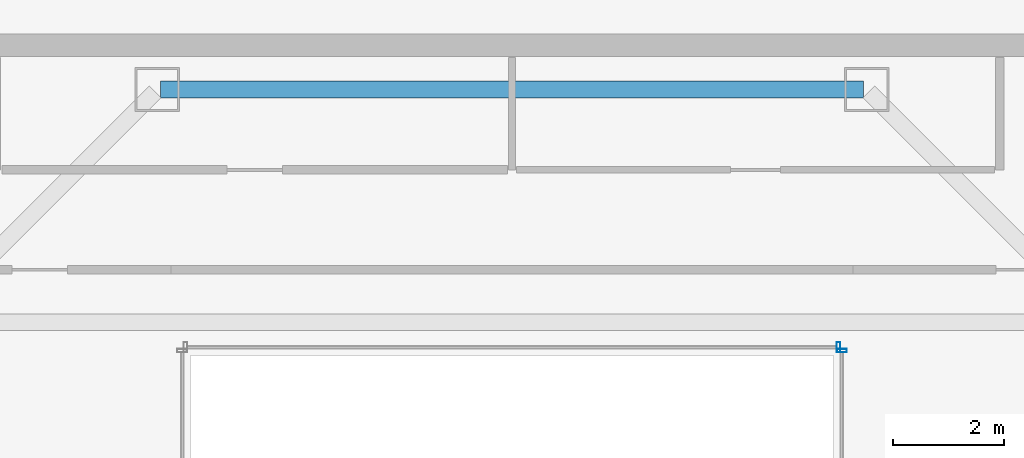
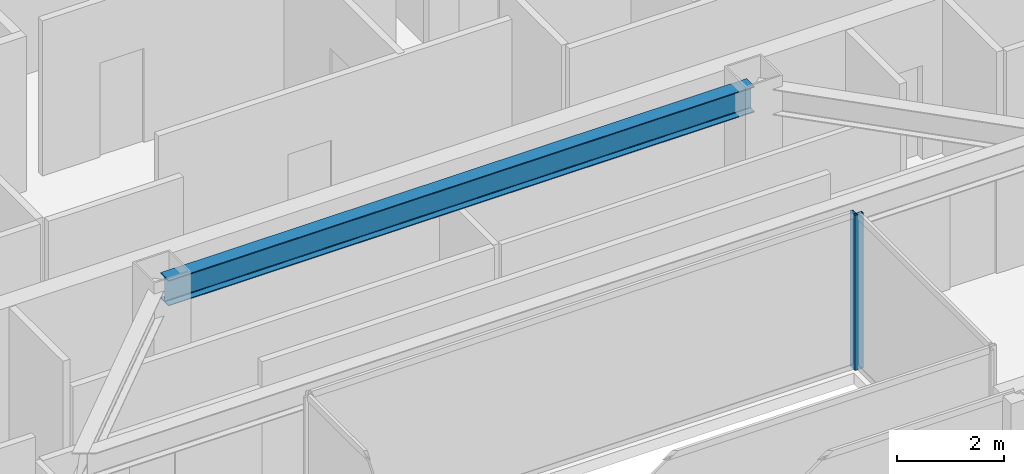
# One storey, part 11 of 33: 2 members, 1 beam, 2 elements without a shape of their own.
"""IFC4 building model written with IfcOpenShell, lengths in metres."""

from ifc_helpers import new_model, si_unit, direction, frame, origin, origin_2d, place, context, subcontext, project, spatial, hollow_rectangle, i_section, extrude, material, material_profile, profile_set, type_object, element, aggregate, save


model = new_model("IFC4")

# Units and contexts
model_context = context("Model", 3, precision=1e-05, world=origin(), true_north=direction((0.0, 1.0)))
body_context = subcontext(model_context, "Body", "Model", "MODEL_VIEW")
ifc_project = project(units=[si_unit("LENGTHUNIT", "METRE"), si_unit("AREAUNIT", "SQUARE_METRE"), si_unit("VOLUMEUNIT", "CUBIC_METRE"), si_unit("PLANEANGLEUNIT", "RADIAN"), si_unit("MASSUNIT", "GRAM", prefix="KILO")], contexts=[model_context])

# Site, building, storey
site_placement = place(None, origin())
site = spatial("IfcSite", under=ifc_project, at=site_placement, CompositionType="ELEMENT")
building_placement = place(site_placement, origin())
building = spatial("IfcBuilding", under=site, at=building_placement, Name="Saevonmaru Cultural Tower", CompositionType="ELEMENT")
storey_placement = place(building_placement, frame((0.0, 0.0, 238.199951171875)))
storey = spatial("IfcBuildingStorey", under=building, at=storey_placement, Name="L55", CompositionType="ELEMENT", Elevation=238.199951171875)

# Beam
ifc_material_1 = material(Name="Steel SM355", Category="steel")
ifc_material_profile_1 = material_profile(ifc_material_1, i_section(OverallWidth=0.300048828125, OverallDepth=0.587890625, WebThickness=0.011962890625, FlangeThickness=0.02001953125, FilletRadius=0.02392578125, at=origin_2d()), Name="H-588x300x12x20")
ifc_profile_set_1 = profile_set([ifc_material_profile_1], Name="Steel SM355")
beam_type = type_object("IfcBeamType", Name="BM-G-H588", PredefinedType="BEAM", material=ifc_profile_set_1)
beam_placement = place(storey_placement, frame((23.659912109375, 42.39990234375, 3.256103515625), z_axis=(1.0, 0.0, 0.0), x_axis=(0.0, 1.0, 0.0)))
element("IfcBeam", 1, at=beam_placement, inside=storey, type_object=beam_type, Name="L55 Core South Girder 3", PredefinedType="BEAM", context=body_context, shape_type="SweptSolid", body=[
    extrude(i_section(OverallWidth=0.300048828125, OverallDepth=0.587890625, WebThickness=0.011962890625, FlangeThickness=0.02001953125, FilletRadius=0.02392578125, at=origin_2d()), origin(), (0.0, 0.0, 1.0), 12.68017578125),
])

# Curtain wall, member
ifc_material_2 = material(Name="Satin Bronze Anodised Aluminium", Category="aluminium")
curtain_wall_type = type_object("IfcCurtainWallType", Name="CW-ATR-GLZ", PredefinedType="NOTDEFINED", material=ifc_material_2)
curtain_wall_1_placement = place(storey_placement, origin())
curtain_wall_1 = element("IfcCurtainWall", 2, at=curtain_wall_1_placement, inside=storey, type_object=curtain_wall_type, Name="L55 Vertical Atrium Glazed Smoke Screen 2", PredefinedType="NOTDEFINED")
ifc_material_profile_2 = material_profile(ifc_material_2, hollow_rectangle(XDim=0.06494140625, YDim=0.179931640625, WallThickness=0.00390625, at=origin_2d()), Name="ALU-MULL-180x65x4")
ifc_profile_set_2 = profile_set([ifc_material_profile_2], Name="Satin Bronze Anodised Aluminium")
member_type = type_object("IfcMemberType", Name="ML-CW-INT-180x65", PredefinedType="MULLION", material=ifc_profile_set_2)
member_1_placement = place(storey_placement, frame((35.949951171875, 37.68994140625, 0.0), z_axis=(0.0, 0.0, 1.0), x_axis=(0.0, 1.0, 0.0)))
member_1 = element("IfcMember", 3, at=member_1_placement, type_object=member_type, Name="CW-ATR-L55-2 mullion 2", PredefinedType="MULLION", context=body_context, shape_type="SweptSolid", body=[
    extrude(hollow_rectangle(XDim=0.06494140625, YDim=0.179931640625, WallThickness=0.00390625, at=origin_2d()), origin(), (0.0, 0.0, 1.0), 3.550048828125),
])
aggregate(curtain_wall_1, [member_1])

curtain_wall_2_placement = place(storey_placement, origin())
curtain_wall_2 = element("IfcCurtainWall", 4, at=curtain_wall_2_placement, inside=storey, type_object=curtain_wall_type, Name="L55 Vertical Atrium Glazed Smoke Screen 3", PredefinedType="NOTDEFINED")
member_2_placement = place(storey_placement, frame((35.889892578125, 37.75, 0.0), z_axis=(0.0, 0.0, 1.0), x_axis=(-1.0, 0.0, 0.0)))
member_2 = element("IfcMember", 5, at=member_2_placement, type_object=member_type, Name="CW-ATR-L55-3 mullion 1", PredefinedType="MULLION", context=body_context, shape_type="SweptSolid", body=[
    extrude(hollow_rectangle(XDim=0.06494140625, YDim=0.179931640625, WallThickness=0.00390625, at=origin_2d()), origin(), (0.0, 0.0, 1.0), 3.550048828125),
])
aggregate(curtain_wall_2, [member_2])

save(model, "model.ifc")
